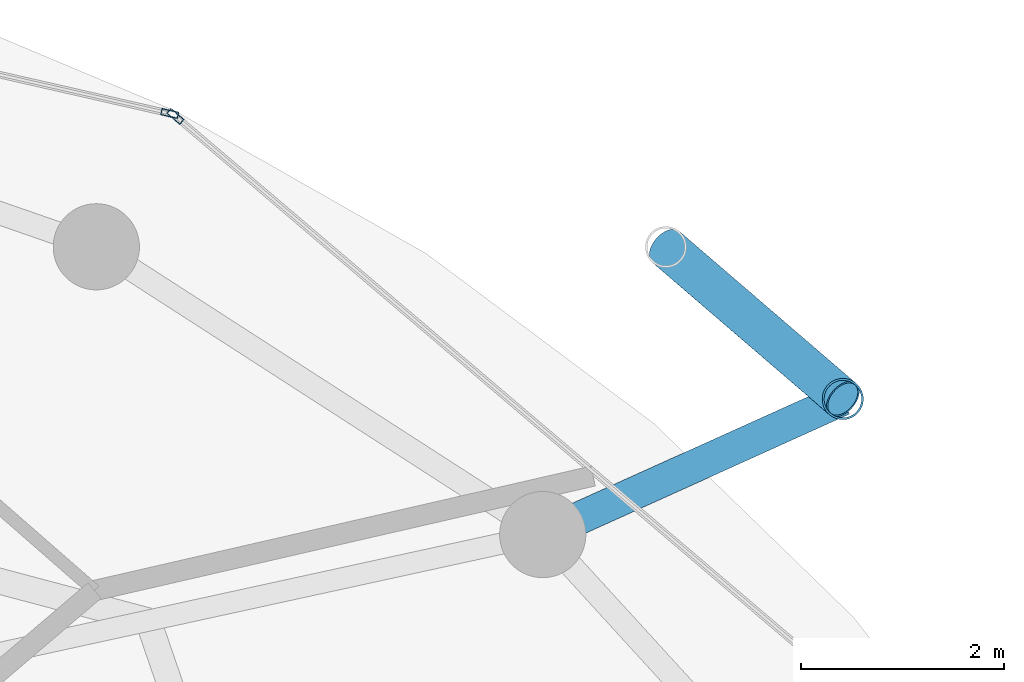
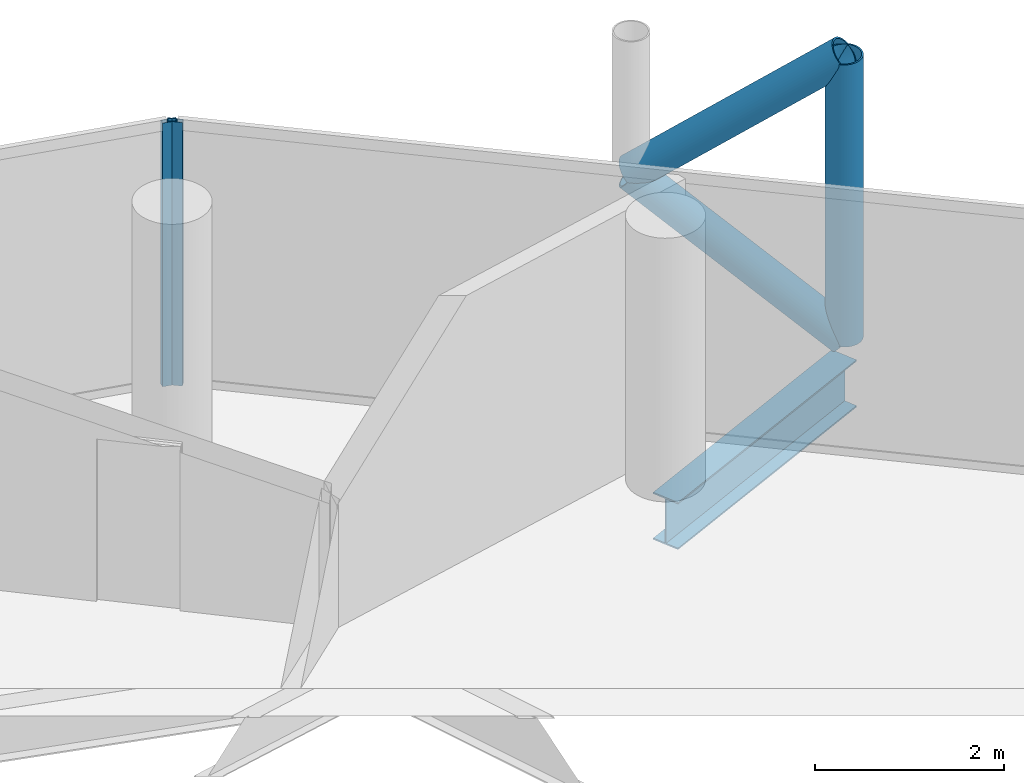
# One storey, part 21 of 27: 5 members, 1 beam, 2 elements without a shape of their own.
"""IFC4 building model written with IfcOpenShell, lengths in metres."""

from ifc_helpers import new_model, si_unit, direction, frame, origin, origin_2d, place, context, subcontext, project, spatial, hollow_rectangle, hollow_circle, i_section, extrude, material, layer, layer_set, material_profile, profile_set, type_object, element, aggregate, save


model = new_model("IFC4")

# Units and contexts
model_context = context("Model", 3, precision=1e-05, world=origin(), true_north=direction((0.0, 1.0)))
body_context = subcontext(model_context, "Body", "Model", "MODEL_VIEW")
ifc_project = project(units=[si_unit("LENGTHUNIT", "METRE"), si_unit("AREAUNIT", "SQUARE_METRE"), si_unit("VOLUMEUNIT", "CUBIC_METRE"), si_unit("PLANEANGLEUNIT", "RADIAN"), si_unit("MASSUNIT", "GRAM", prefix="KILO")], contexts=[model_context])

# Site, building, storey
site_placement = place(None, origin())
site = spatial("IfcSite", under=ifc_project, at=site_placement, CompositionType="ELEMENT")
building_placement = place(site_placement, origin())
building = spatial("IfcBuilding", under=site, at=building_placement, Name="Nuhasar Tower", CompositionType="ELEMENT")
storey_placement = place(building_placement, frame((0.0, 0.0, 208.14990234375)))
storey = spatial("IfcBuildingStorey", under=building, at=storey_placement, Name="L50", CompositionType="ELEMENT", Elevation=208.14990234375)

# Beam
ifc_material_1 = material(Name="Steel S355", Category="steel")
ifc_material_profile_1 = material_profile(ifc_material_1, i_section(OverallWidth=0.323974609375, OverallDepth=0.611083984375, WebThickness=0.0126953125, FlangeThickness=0.01904296875, at=origin_2d()), Name="W24X104")
ifc_profile_set_1 = profile_set([ifc_material_profile_1], Name="Steel S355")
beam_type = type_object("IfcBeamType", Name="BM-TIE-W24X104", PredefinedType="BEAM", material=ifc_profile_set_1)
beam_placement = place(storey_placement, frame((54.02587890625, 39.422119140625, -0.544921875), z_axis=(0.911363318082, 0.411602845538, 0.0), x_axis=(-0.411602845538, 0.911363318082, 0.0)))
element("IfcBeam", 1, at=beam_placement, inside=storey, type_object=beam_type, Name="L50 Exoskeleton Node Tie Beam 02", PredefinedType="BEAM", context=body_context, shape_type="SweptSolid", body=[
    extrude(i_section(OverallWidth=0.323974609375, OverallDepth=0.611083984375, WebThickness=0.0126953125, FlangeThickness=0.01904296875, at=origin_2d()), origin(), (0.0, 0.0, 1.0), 3.24560546875),
])

# Curtain wall, member
ifc_material_2 = material(Name="Aluminium 6063-T6", Category="aluminium")
ifc_layer = layer(ifc_material_2, 0.18994140625)
ifc_layer_set = layer_set([ifc_layer], Name="Aluminium 6063-T6")
curtain_wall_type = type_object("IfcCurtainWallType", Name="CW-Z3-RES", PredefinedType="NOTDEFINED", material=ifc_layer_set)
curtain_wall_1_placement = place(storey_placement, origin())
curtain_wall_1 = element("IfcCurtainWall", 2, at=curtain_wall_1_placement, inside=storey, type_object=curtain_wall_type, Name="L50 Unitised Curtain Wall 02", PredefinedType="NOTDEFINED")
ifc_material_profile_2 = material_profile(ifc_material_2, hollow_rectangle(XDim=0.06494140625, YDim=0.169921875, WallThickness=0.0048828125, at=origin_2d()), Name="CWM-4")
ifc_profile_set_2 = profile_set([ifc_material_profile_2], Name="Aluminium 6063-T6")
member_type_1 = type_object("IfcMemberType", Name="CW-MUL-S4", PredefinedType="MULLION", material=ifc_profile_set_2)
member_1_placement = place(storey_placement, frame((50.40478515625, 43.544921875, 0.0), z_axis=(0.0, 0.0, 1.0), x_axis=(-0.64789521578, -0.761729472562, 0.0)))
member_1 = element("IfcMember", 3, at=member_1_placement, type_object=member_type_1, Name="CW-Z3 mullion 2", PredefinedType="MULLION", context=body_context, shape_type="SweptSolid", body=[
    extrude(hollow_rectangle(XDim=0.06494140625, YDim=0.169921875, WallThickness=0.0048828125, at=origin_2d()), origin(), (0.0, 0.0, 1.0), 3.41015625),
])
aggregate(curtain_wall_1, [member_1])

curtain_wall_2_placement = place(storey_placement, origin())
curtain_wall_2 = element("IfcCurtainWall", 4, at=curtain_wall_2_placement, inside=storey, type_object=curtain_wall_type, Name="L50 Unitised Curtain Wall 03", PredefinedType="NOTDEFINED")
member_2_placement = place(storey_placement, frame((50.348388671875, 43.5732421875, 0.0), z_axis=(0.0, 0.0, 1.0), x_axis=(-0.222243176313, -0.974991266926, 0.0)))
member_2 = element("IfcMember", 5, at=member_2_placement, type_object=member_type_1, Name="CW-Z3 mullion 1", PredefinedType="MULLION", context=body_context, shape_type="SweptSolid", body=[
    extrude(hollow_rectangle(XDim=0.06494140625, YDim=0.169921875, WallThickness=0.0048828125, at=origin_2d()), origin(), (0.0, 0.0, 1.0), 3.41015625),
])
aggregate(curtain_wall_2, [member_2])

# Members
ifc_material_3 = material(Name="Steel S460", Category="steel")
ifc_material_profile_3 = material_profile(ifc_material_3, hollow_circle(Radius=0.203125, WallThickness=0.01904296875, at=origin_2d()), Name="HSS406.4X19.1")
ifc_profile_set_3 = profile_set([ifc_material_profile_3], Name="Steel S460")
member_type_2 = type_object("IfcMemberType", Name="EXO-BRONZE-406", PredefinedType="BRACE", material=ifc_profile_set_3)
member_3_placement = place(storey_placement, frame((56.98388671875, 40.758056640625, 0.0), z_axis=(0.0, 0.0, 1.0), x_axis=(1.0, 0.0, 0.0)))
element("IfcMember", 6, at=member_3_placement, inside=storey, type_object=member_type_2, Name="L50 Exoskeleton Chord Column EC-02A", PredefinedType="BRACE", context=body_context, shape_type="SweptSolid", body=[
    extrude(hollow_circle(Radius=0.203125, WallThickness=0.01904296875, at=origin_2d()), origin(), (0.0, 0.0, 1.0), 3.650146484375),
])
for number, where, z_axis, x_axis, name in (
    (7, (56.98388671875, 40.758056640625, 0.0), (-0.593987827832, 0.51058172517, 0.621678986543), (-0.65185738425, -0.758341579104, 0.0), "L50 Bronze Diagrid Brace W1-02"),
    (8, (55.239990234375, 42.257080078125, 1.8251953125), (0.594018535389, -0.510608120858, 0.621627964725), (0.65185738425, 0.758341579104, 0.0), "L50 Bronze Diagrid Brace W2-02"),
):
    element("IfcMember", number, at=place(storey_placement, frame(where, z_axis=z_axis, x_axis=x_axis)), inside=storey, type_object=member_type_2, Name=name, PredefinedType="BRACE", context=body_context, shape_type="SweptSolid", body=[
        extrude(hollow_circle(Radius=0.203125, WallThickness=0.01904296875, at=origin_2d()), origin(), (0.0, 0.0, 1.0), 2.935791015625),
    ])

save(model, "model.ifc")
